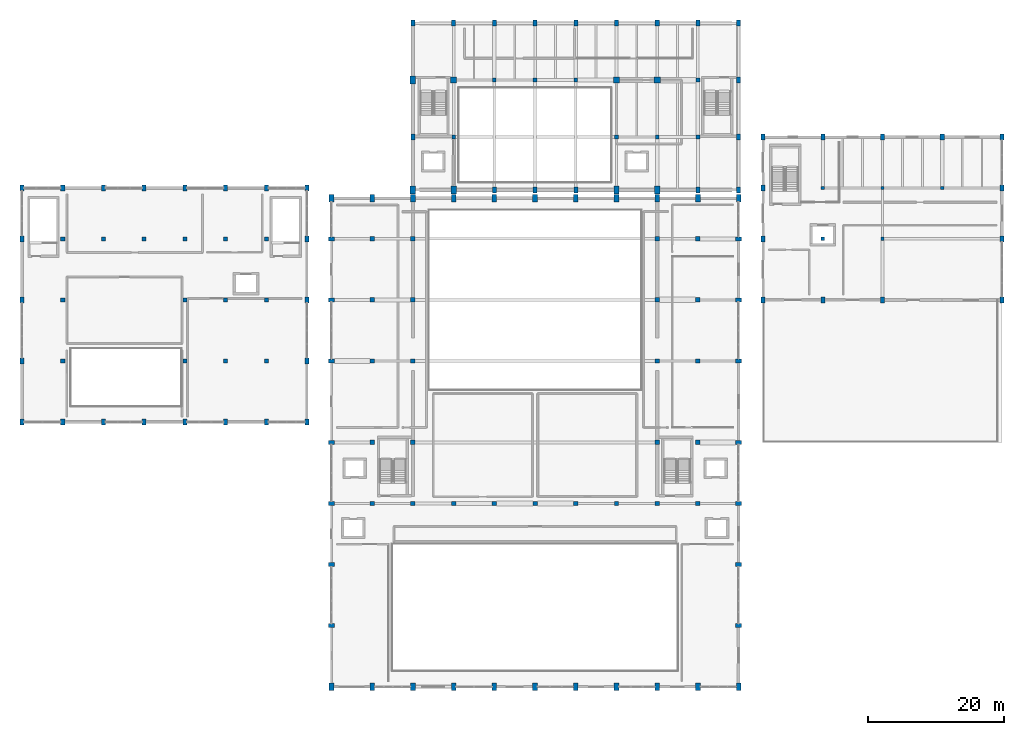
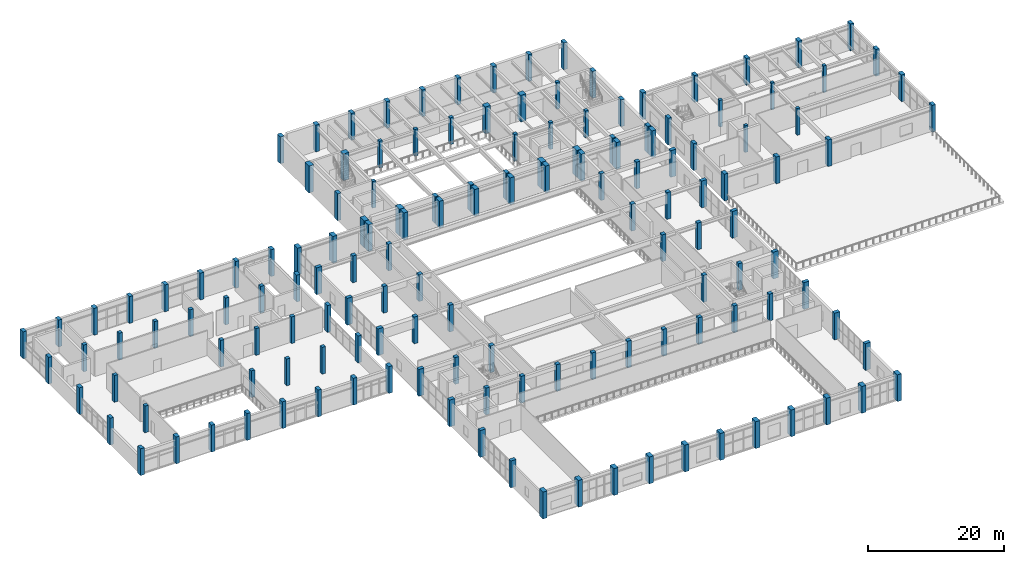
# One storey, part 1 of 62: 148 columns.
"""IFC4 building model written with IfcOpenShell, lengths in metres."""

from ifc_helpers import new_model, si_unit, direction, frame, origin, origin_2d, place, context, subcontext, project, spatial, rectangle, extrude, material, material_profile, profile_set, type_object, element, save


model = new_model("IFC4")

# Units and contexts
model_context = context("Model", 3, precision=1e-05, world=origin(), true_north=direction((0.0, 1.0)))
body_context = subcontext(model_context, "Body", "Model", "MODEL_VIEW")
ifc_project = project(units=[si_unit("LENGTHUNIT", "METRE"), si_unit("AREAUNIT", "SQUARE_METRE"), si_unit("VOLUMEUNIT", "CUBIC_METRE"), si_unit("PLANEANGLEUNIT", "RADIAN"), si_unit("MASSUNIT", "GRAM", prefix="KILO")], contexts=[model_context])

# Site, building, storey
site_placement = place(None, origin())
site = spatial("IfcSite", under=ifc_project, at=site_placement, CompositionType="ELEMENT")
building_placement = place(site_placement, origin())
building = spatial("IfcBuilding", under=site, at=building_placement, Name="Vaelkrest Opera House", CompositionType="ELEMENT")
storey_placement = place(building_placement, frame((0.0, 0.0, 19.800048828125)))
storey = spatial("IfcBuildingStorey", under=building, at=storey_placement, Name="L04", CompositionType="ELEMENT", Elevation=19.800048828125)

# Columns
ifc_material = material(Name="Concrete C50/60", Category="concrete")
ifc_material_profile_1 = material_profile(ifc_material, rectangle(XDim=0.5, YDim=0.5, at=origin_2d()), Name="RC500X500")
ifc_profile_set_1 = profile_set([ifc_material_profile_1], Name="Concrete C50/60")
column_type_1 = type_object("IfcColumnType", Name="C01", PredefinedType="COLUMN", material=ifc_profile_set_1)
for number, where, z_axis, x_axis, name in (
    (1, (42.39990234375, 10.199951171875, 0.0), (0.0, 0.0, 1.0), (1.0, 0.0, 0.0), "Column COL-V4-L04-1382"),
    (2, (42.39990234375, 17.699951171875, 0.0), (0.0, 0.0, 1.0), (1.0, 0.0, 0.0), "Column COL-V4-L04-1383"),
    (3, (51.199951171875, 10.199951171875, 0.0), (0.0, 0.0, 1.0), (1.0, 0.0, 0.0), "Column COL-V4-L04-1386"),
    (4, (51.199951171875, 17.699951171875, 0.0), (0.0, 0.0, 1.0), (1.0, 0.0, 0.0), "Column COL-V4-L04-1387"),
    (5, (60.0, 17.699951171875, 0.0), (0.0, 0.0, 1.0), (1.0, 0.0, 0.0), "Column COL-V4-L04-1389"),
):
    element("IfcColumn", number, at=place(storey_placement, frame(where, z_axis=z_axis, x_axis=x_axis)), inside=storey, type_object=column_type_1, Name=name, PredefinedType="COLUMN", context=body_context, shape_type="SweptSolid", body=[
        extrude(rectangle(XDim=0.5, YDim=0.5, at=origin_2d()), origin(), (0.0, 0.0, 1.0), 4.800048828125),
    ])
ifc_material_profile_2 = material_profile(ifc_material, rectangle(XDim=0.60009765625, YDim=0.60009765625, at=origin_2d()), Name="RC600X600")
ifc_profile_set_2 = profile_set([ifc_material_profile_2], Name="Concrete C50/60")
column_type_2 = type_object("IfcColumnType", Name="C02", PredefinedType="COLUMN", material=ifc_profile_set_2)
for number, where, z_axis, x_axis, name in (
    (6, (-69.60009765625, -7.800048828125, 0.0), (0.0, 0.0, 1.0), (1.0, 0.0, 0.0), "Column COL-V3-L04-1090"),
    (7, (-69.60009765625, 1.199951171875, 0.0), (0.0, 0.0, 1.0), (1.0, 0.0, 0.0), "Column COL-V3-L04-1091"),
    (8, (-69.60009765625, 10.199951171875, 0.0), (0.0, 0.0, 1.0), (1.0, 0.0, 0.0), "Column COL-V3-L04-1092"),
    (9, (-63.60009765625, 10.199951171875, 0.0), (0.0, 0.0, 1.0), (1.0, 0.0, 0.0), "Column COL-V3-L04-1095"),
    (10, (-57.60009765625, 10.199951171875, 0.0), (0.0, 0.0, 1.0), (1.0, 0.0, 0.0), "Column COL-V3-L04-1098"),
    (11, (-51.60009765625, -7.800048828125, 0.0), (0.0, 0.0, 1.0), (1.0, 0.0, 0.0), "Column COL-V3-L04-1101"),
    (12, (-51.60009765625, 1.199951171875, 0.0), (0.0, 0.0, 1.0), (1.0, 0.0, 0.0), "Column COL-V3-L04-1102"),
    (13, (-51.60009765625, 10.199951171875, 0.0), (0.0, 0.0, 1.0), (1.0, 0.0, 0.0), "Column COL-V3-L04-1103"),
    (14, (-45.60009765625, -7.800048828125, 0.0), (0.0, 0.0, 1.0), (1.0, 0.0, 0.0), "Column COL-V3-L04-1106"),
    (15, (-45.60009765625, 1.199951171875, 0.0), (0.0, 0.0, 1.0), (1.0, 0.0, 0.0), "Column COL-V3-L04-1107"),
    (16, (-45.60009765625, 10.199951171875, 0.0), (0.0, 0.0, 1.0), (1.0, 0.0, 0.0), "Column COL-V3-L04-1108"),
    (17, (-39.60009765625, -7.800048828125, 0.0), (0.0, 0.0, 1.0), (1.0, 0.0, 0.0), "Column COL-V3-L04-1111"),
    (18, (-39.60009765625, 1.199951171875, 0.0), (0.0, 0.0, 1.0), (1.0, 0.0, 0.0), "Column COL-V3-L04-1112"),
    (19, (-39.60009765625, 10.199951171875, 0.0), (0.0, 0.0, 1.0), (1.0, 0.0, 0.0), "Column COL-V3-L04-1113"),
):
    element("IfcColumn", number, at=place(storey_placement, frame(where, z_axis=z_axis, x_axis=x_axis)), inside=storey, type_object=column_type_2, Name=name, PredefinedType="COLUMN", context=body_context, shape_type="SweptSolid", body=[
        extrude(rectangle(XDim=0.60009765625, YDim=0.60009765625, at=origin_2d()), origin(), (0.0, 0.0, 1.0), 4.800048828125),
    ])
ifc_material_profile_3 = material_profile(ifc_material, rectangle(XDim=0.89990234375, YDim=0.89990234375, at=origin_2d()), Name="RC900X900")
ifc_profile_set_3 = profile_set([ifc_material_profile_3], Name="Concrete C50/60")
column_type_3 = type_object("IfcColumnType", Name="C05", PredefinedType="COLUMN", material=ifc_profile_set_3)
for number, where, z_axis, x_axis, name in (
    (20, (-12.0, 33.60009765625, 0.0), (0.0, 0.0, 1.0), (1.0, 0.0, 0.0), "Column COL-V2-L04-0698"),
    (21, (12.0, 33.60009765625, 0.0), (0.0, 0.0, 1.0), (1.0, 0.0, 0.0), "Column COL-V2-L04-0711"),
    (22, (18.0, 33.60009765625, 0.0), (0.0, 0.0, 1.0), (1.0, 0.0, 0.0), "Column COL-V2-L04-0715"),
):
    element("IfcColumn", number, at=place(storey_placement, frame(where, z_axis=z_axis, x_axis=x_axis)), inside=storey, type_object=column_type_3, Name=name, PredefinedType="COLUMN", context=body_context, shape_type="SweptSolid", body=[
        extrude(rectangle(XDim=0.89990234375, YDim=0.89990234375, at=origin_2d()), origin(), (0.0, 0.0, 1.0), 4.800048828125),
    ])
ifc_material_profile_4 = material_profile(ifc_material, rectangle(XDim=0.60009765625, YDim=0.89990234375, at=origin_2d()), Name="RC600X900")
ifc_profile_set_4 = profile_set([ifc_material_profile_4], Name="Concrete C50/60")
column_type_4 = type_object("IfcColumnType", Name="C06", PredefinedType="COLUMN", material=ifc_profile_set_4)
for number, where, z_axis, x_axis, name in (
    (23, (-30.0, -46.800048828125, 0.0), (0.0, 0.0, 1.0), (0.0, 1.0, 0.0), "Column COL-V1-L04-0335"),
    (24, (-30.0, -37.800048828125, 0.0), (0.0, 0.0, 1.0), (0.0, 1.0, 0.0), "Column COL-V1-L04-0336"),
    (25, (-30.0, -28.800048828125, 0.0), (0.0, 0.0, 1.0), (0.0, 1.0, 0.0), "Column COL-V1-L04-0337"),
    (26, (-30.0, -19.800048828125, 0.0), (0.0, 0.0, 1.0), (0.0, 1.0, 0.0), "Column COL-V1-L04-0338"),
    (27, (-30.0, -7.800048828125, 0.0), (0.0, 0.0, 1.0), (0.0, 1.0, 0.0), "Column COL-V1-L04-0339"),
    (28, (-30.0, 1.199951171875, 0.0), (0.0, 0.0, 1.0), (0.0, 1.0, 0.0), "Column COL-V1-L04-0340"),
    (29, (-30.0, 10.199951171875, 0.0), (0.0, 0.0, 1.0), (0.0, 1.0, 0.0), "Column COL-V1-L04-0341"),
    (30, (30.0, -46.800048828125, 0.0), (0.0, 0.0, 1.0), (0.0, 1.0, 0.0), "Column COL-V1-L04-0387"),
    (31, (30.0, -37.800048828125, 0.0), (0.0, 0.0, 1.0), (0.0, 1.0, 0.0), "Column COL-V1-L04-0388"),
    (32, (30.0, -28.800048828125, 0.0), (0.0, 0.0, 1.0), (0.0, 1.0, 0.0), "Column COL-V1-L04-0389"),
    (33, (30.0, -19.800048828125, 0.0), (0.0, 0.0, 1.0), (0.0, 1.0, 0.0), "Column COL-V1-L04-0390"),
    (34, (30.0, -7.800048828125, 0.0), (0.0, 0.0, 1.0), (0.0, 1.0, 0.0), "Column COL-V1-L04-0391"),
    (35, (30.0, 1.199951171875, 0.0), (0.0, 0.0, 1.0), (0.0, 1.0, 0.0), "Column COL-V1-L04-0392"),
    (36, (30.0, 10.199951171875, 0.0), (0.0, 0.0, 1.0), (0.0, 1.0, 0.0), "Column COL-V1-L04-0393"),
    (37, (-18.0, 25.199951171875, 0.0), (0.0, 0.0, 1.0), (1.0, 0.0, 0.0), "Column COL-V2-L04-0693"),
    (38, (-18.0, 42.0, 0.0), (0.0, 0.0, 1.0), (1.0, 0.0, 0.0), "Column COL-V2-L04-0695"),
    (39, (-12.0, 42.0, 0.0), (0.0, 0.0, 1.0), (1.0, 0.0, 0.0), "Column COL-V2-L04-0699"),
    (40, (-6.0, 17.39990234375, 0.0), (0.0, 0.0, 1.0), (1.0, 0.0, 0.0), "Column COL-V2-L04-0700"),
    (41, (-6.0, 42.0, 0.0), (0.0, 0.0, 1.0), (1.0, 0.0, 0.0), "Column COL-V2-L04-0702"),
    (42, (0.0, 17.39990234375, 0.0), (0.0, 0.0, 1.0), (1.0, 0.0, 0.0), "Column COL-V2-L04-0703"),
    (43, (0.0, 42.0, 0.0), (0.0, 0.0, 1.0), (1.0, 0.0, 0.0), "Column COL-V2-L04-0705"),
    (44, (6.0, 17.39990234375, 0.0), (0.0, 0.0, 1.0), (1.0, 0.0, 0.0), "Column COL-V2-L04-0706"),
    (45, (6.0, 42.0, 0.0), (0.0, 0.0, 1.0), (1.0, 0.0, 0.0), "Column COL-V2-L04-0708"),
    (46, (12.0, 42.0, 0.0), (0.0, 0.0, 1.0), (1.0, 0.0, 0.0), "Column COL-V2-L04-0712"),
    (47, (18.0, 42.0, 0.0), (0.0, 0.0, 1.0), (1.0, 0.0, 0.0), "Column COL-V2-L04-0716"),
    (48, (24.0, 17.39990234375, 0.0), (0.0, 0.0, 1.0), (1.0, 0.0, 0.0), "Column COL-V2-L04-0717"),
    (49, (24.0, 42.0, 0.0), (0.0, 0.0, 1.0), (1.0, 0.0, 0.0), "Column COL-V2-L04-0720"),
    (50, (30.0, 17.39990234375, 0.0), (0.0, 0.0, 1.0), (1.0, 0.0, 0.0), "Column COL-V2-L04-0721"),
    (51, (30.0, 25.199951171875, 0.0), (0.0, 0.0, 1.0), (1.0, 0.0, 0.0), "Column COL-V2-L04-0722"),
    (52, (30.0, 33.60009765625, 0.0), (0.0, 0.0, 1.0), (1.0, 0.0, 0.0), "Column COL-V2-L04-0723"),
    (53, (30.0, 42.0, 0.0), (0.0, 0.0, 1.0), (1.0, 0.0, 0.0), "Column COL-V2-L04-0724"),
    (54, (-75.60009765625, -16.800048828125, 0.0), (0.0, 0.0, 1.0), (1.0, 0.0, 0.0), "Column COL-V3-L04-1084"),
    (55, (-75.60009765625, -7.800048828125, 0.0), (0.0, 0.0, 1.0), (1.0, 0.0, 0.0), "Column COL-V3-L04-1085"),
    (56, (-75.60009765625, 1.199951171875, 0.0), (0.0, 0.0, 1.0), (1.0, 0.0, 0.0), "Column COL-V3-L04-1086"),
    (57, (-75.60009765625, 10.199951171875, 0.0), (0.0, 0.0, 1.0), (1.0, 0.0, 0.0), "Column COL-V3-L04-1087"),
    (58, (-75.60009765625, 17.699951171875, 0.0), (0.0, 0.0, 1.0), (1.0, 0.0, 0.0), "Column COL-V3-L04-1088"),
    (59, (-69.60009765625, -16.800048828125, 0.0), (0.0, 0.0, 1.0), (1.0, 0.0, 0.0), "Column COL-V3-L04-1089"),
    (60, (-69.60009765625, 17.699951171875, 0.0), (0.0, 0.0, 1.0), (1.0, 0.0, 0.0), "Column COL-V3-L04-1093"),
    (61, (-63.60009765625, -16.800048828125, 0.0), (0.0, 0.0, 1.0), (1.0, 0.0, 0.0), "Column COL-V3-L04-1094"),
    (62, (-63.60009765625, 17.699951171875, 0.0), (0.0, 0.0, 1.0), (1.0, 0.0, 0.0), "Column COL-V3-L04-1096"),
    (63, (-57.60009765625, -16.800048828125, 0.0), (0.0, 0.0, 1.0), (1.0, 0.0, 0.0), "Column COL-V3-L04-1097"),
    (64, (-57.60009765625, 17.699951171875, 0.0), (0.0, 0.0, 1.0), (1.0, 0.0, 0.0), "Column COL-V3-L04-1099"),
    (65, (-51.60009765625, -16.800048828125, 0.0), (0.0, 0.0, 1.0), (1.0, 0.0, 0.0), "Column COL-V3-L04-1100"),
    (66, (-51.60009765625, 17.699951171875, 0.0), (0.0, 0.0, 1.0), (1.0, 0.0, 0.0), "Column COL-V3-L04-1104"),
    (67, (-45.60009765625, -16.800048828125, 0.0), (0.0, 0.0, 1.0), (1.0, 0.0, 0.0), "Column COL-V3-L04-1105"),
    (68, (-45.60009765625, 17.699951171875, 0.0), (0.0, 0.0, 1.0), (1.0, 0.0, 0.0), "Column COL-V3-L04-1109"),
    (69, (-39.60009765625, -16.800048828125, 0.0), (0.0, 0.0, 1.0), (1.0, 0.0, 0.0), "Column COL-V3-L04-1110"),
    (70, (-39.60009765625, 17.699951171875, 0.0), (0.0, 0.0, 1.0), (1.0, 0.0, 0.0), "Column COL-V3-L04-1114"),
    (71, (-33.60009765625, -16.800048828125, 0.0), (0.0, 0.0, 1.0), (1.0, 0.0, 0.0), "Column COL-V3-L04-1115"),
    (72, (-33.60009765625, -7.800048828125, 0.0), (0.0, 0.0, 1.0), (1.0, 0.0, 0.0), "Column COL-V3-L04-1116"),
    (73, (-33.60009765625, 1.199951171875, 0.0), (0.0, 0.0, 1.0), (1.0, 0.0, 0.0), "Column COL-V3-L04-1117"),
    (74, (-33.60009765625, 10.199951171875, 0.0), (0.0, 0.0, 1.0), (1.0, 0.0, 0.0), "Column COL-V3-L04-1118"),
    (75, (-33.60009765625, 17.699951171875, 0.0), (0.0, 0.0, 1.0), (1.0, 0.0, 0.0), "Column COL-V3-L04-1119"),
    (76, (33.60009765625, 1.199951171875, 0.0), (0.0, 0.0, 1.0), (1.0, 0.0, 0.0), "Column COL-V4-L04-1377"),
    (77, (33.60009765625, 10.199951171875, 0.0), (0.0, 0.0, 1.0), (1.0, 0.0, 0.0), "Column COL-V4-L04-1378"),
    (78, (33.60009765625, 17.699951171875, 0.0), (0.0, 0.0, 1.0), (1.0, 0.0, 0.0), "Column COL-V4-L04-1379"),
    (79, (33.60009765625, 25.199951171875, 0.0), (0.0, 0.0, 1.0), (1.0, 0.0, 0.0), "Column COL-V4-L04-1380"),
    (80, (42.39990234375, 1.199951171875, 0.0), (0.0, 0.0, 1.0), (1.0, 0.0, 0.0), "Column COL-V4-L04-1381"),
    (81, (42.39990234375, 25.199951171875, 0.0), (0.0, 0.0, 1.0), (1.0, 0.0, 0.0), "Column COL-V4-L04-1384"),
    (82, (51.199951171875, 1.199951171875, 0.0), (0.0, 0.0, 1.0), (1.0, 0.0, 0.0), "Column COL-V4-L04-1385"),
    (83, (51.199951171875, 25.199951171875, 0.0), (0.0, 0.0, 1.0), (1.0, 0.0, 0.0), "Column COL-V4-L04-1388"),
    (84, (60.0, 25.199951171875, 0.0), (0.0, 0.0, 1.0), (1.0, 0.0, 0.0), "Column COL-V4-L04-1390"),
    (85, (68.800048828125, 1.199951171875, 0.0), (0.0, 0.0, 1.0), (1.0, 0.0, 0.0), "Column COL-V4-L04-1391"),
    (86, (68.800048828125, 10.199951171875, 0.0), (0.0, 0.0, 1.0), (1.0, 0.0, 0.0), "Column COL-V4-L04-1392"),
    (87, (68.800048828125, 17.699951171875, 0.0), (0.0, 0.0, 1.0), (1.0, 0.0, 0.0), "Column COL-V4-L04-1393"),
    (88, (68.800048828125, 25.199951171875, 0.0), (0.0, 0.0, 1.0), (1.0, 0.0, 0.0), "Column COL-V4-L04-1394"),
):
    element("IfcColumn", number, at=place(storey_placement, frame(where, z_axis=z_axis, x_axis=x_axis)), inside=storey, type_object=column_type_4, Name=name, PredefinedType="COLUMN", context=body_context, shape_type="SweptSolid", body=[
        extrude(rectangle(XDim=0.60009765625, YDim=0.89990234375, at=origin_2d()), origin(), (0.0, 0.0, 1.0), 4.800048828125),
    ])
ifc_material_profile_5 = material_profile(ifc_material, rectangle(XDim=0.699951171875, YDim=1.10009765625, at=origin_2d()), Name="RC700X1100")
ifc_profile_set_5 = profile_set([ifc_material_profile_5], Name="Concrete C50/60")
column_type_5 = type_object("IfcColumnType", Name="C07", PredefinedType="COLUMN", material=ifc_profile_set_5)
for number, where, z_axis, x_axis, name in (
    (89, (-30.0, -55.800048828125, 0.0), (0.0, 0.0, 1.0), (1.0, 0.0, 0.0), "Column COL-V1-L04-0334"),
    (90, (-30.0, 16.199951171875, 0.0), (0.0, 0.0, 1.0), (1.0, 0.0, 0.0), "Column COL-V1-L04-0342"),
    (91, (-24.0, -55.800048828125, 0.0), (0.0, 0.0, 1.0), (1.0, 0.0, 0.0), "Column COL-V1-L04-0343"),
    (92, (-24.0, 16.199951171875, 0.0), (0.0, 0.0, 1.0), (1.0, 0.0, 0.0), "Column COL-V1-L04-0349"),
    (93, (-18.0, -55.800048828125, 0.0), (0.0, 0.0, 1.0), (1.0, 0.0, 0.0), "Column COL-V1-L04-0350"),
    (94, (-18.0, 16.199951171875, 0.0), (0.0, 0.0, 1.0), (1.0, 0.0, 0.0), "Column COL-V1-L04-0356"),
    (95, (-12.0, -55.800048828125, 0.0), (0.0, 0.0, 1.0), (1.0, 0.0, 0.0), "Column COL-V1-L04-0357"),
    (96, (-12.0, 16.199951171875, 0.0), (0.0, 0.0, 1.0), (1.0, 0.0, 0.0), "Column COL-V1-L04-0359"),
    (97, (-6.0, -55.800048828125, 0.0), (0.0, 0.0, 1.0), (1.0, 0.0, 0.0), "Column COL-V1-L04-0360"),
    (98, (-6.0, 16.199951171875, 0.0), (0.0, 0.0, 1.0), (1.0, 0.0, 0.0), "Column COL-V1-L04-0362"),
    (99, (0.0, -55.800048828125, 0.0), (0.0, 0.0, 1.0), (1.0, 0.0, 0.0), "Column COL-V1-L04-0363"),
    (100, (0.0, 16.199951171875, 0.0), (0.0, 0.0, 1.0), (1.0, 0.0, 0.0), "Column COL-V1-L04-0365"),
    (101, (6.0, -55.800048828125, 0.0), (0.0, 0.0, 1.0), (1.0, 0.0, 0.0), "Column COL-V1-L04-0366"),
    (102, (6.0, 16.199951171875, 0.0), (0.0, 0.0, 1.0), (1.0, 0.0, 0.0), "Column COL-V1-L04-0368"),
    (103, (12.0, -55.800048828125, 0.0), (0.0, 0.0, 1.0), (1.0, 0.0, 0.0), "Column COL-V1-L04-0369"),
    (104, (12.0, 16.199951171875, 0.0), (0.0, 0.0, 1.0), (1.0, 0.0, 0.0), "Column COL-V1-L04-0371"),
    (105, (18.0, -55.800048828125, 0.0), (0.0, 0.0, 1.0), (1.0, 0.0, 0.0), "Column COL-V1-L04-0372"),
    (106, (18.0, 16.199951171875, 0.0), (0.0, 0.0, 1.0), (1.0, 0.0, 0.0), "Column COL-V1-L04-0378"),
    (107, (24.0, -55.800048828125, 0.0), (0.0, 0.0, 1.0), (1.0, 0.0, 0.0), "Column COL-V1-L04-0379"),
    (108, (24.0, 16.199951171875, 0.0), (0.0, 0.0, 1.0), (1.0, 0.0, 0.0), "Column COL-V1-L04-0385"),
    (109, (30.0, -55.800048828125, 0.0), (0.0, 0.0, 1.0), (1.0, 0.0, 0.0), "Column COL-V1-L04-0386"),
    (110, (30.0, 16.199951171875, 0.0), (0.0, 0.0, 1.0), (1.0, 0.0, 0.0), "Column COL-V1-L04-0394"),
):
    element("IfcColumn", number, at=place(storey_placement, frame(where, z_axis=z_axis, x_axis=x_axis)), inside=storey, type_object=column_type_5, Name=name, PredefinedType="COLUMN", context=body_context, shape_type="SweptSolid", body=[
        extrude(rectangle(XDim=0.699951171875, YDim=1.10009765625, at=origin_2d()), origin(), (0.0, 0.0, 1.0), 4.800048828125),
    ])
ifc_material_profile_6 = material_profile(ifc_material, rectangle(XDim=0.800048828125, YDim=1.199951171875, at=origin_2d()), Name="RC800X1200")
ifc_profile_set_6 = profile_set([ifc_material_profile_6], Name="Concrete C50/60")
column_type_6 = type_object("IfcColumnType", Name="C08", PredefinedType="COLUMN", material=ifc_profile_set_6)
for number, where, z_axis, x_axis, name in (
    (111, (-18.0, 17.39990234375, 0.0), (0.0, 0.0, 1.0), (1.0, 0.0, 0.0), "Column COL-V2-L04-0692"),
    (112, (-18.0, 33.60009765625, 0.0), (0.0, 0.0, 1.0), (1.0, 0.0, 0.0), "Column COL-V2-L04-0694"),
    (113, (-12.0, 17.39990234375, 0.0), (0.0, 0.0, 1.0), (1.0, 0.0, 0.0), "Column COL-V2-L04-0696"),
    (114, (12.0, 17.39990234375, 0.0), (0.0, 0.0, 1.0), (1.0, 0.0, 0.0), "Column COL-V2-L04-0709"),
    (115, (18.0, 17.39990234375, 0.0), (0.0, 0.0, 1.0), (1.0, 0.0, 0.0), "Column COL-V2-L04-0713"),
):
    element("IfcColumn", number, at=place(storey_placement, frame(where, z_axis=z_axis, x_axis=x_axis)), inside=storey, type_object=column_type_6, Name=name, PredefinedType="COLUMN", context=body_context, shape_type="SweptSolid", body=[
        extrude(rectangle(XDim=0.800048828125, YDim=1.199951171875, at=origin_2d()), origin(), (0.0, 0.0, 1.0), 4.800048828125),
    ])
ifc_material_profile_7 = material_profile(ifc_material, rectangle(XDim=0.550048828125, YDim=0.550048828125, at=origin_2d()), Name="RC550X550")
ifc_profile_set_7 = profile_set([ifc_material_profile_7], Name="Concrete C50/60")
column_type_7 = type_object("IfcColumnType", Name="C13", PredefinedType="COLUMN", material=ifc_profile_set_7)
for number, where, z_axis, x_axis, name in (
    (116, (-12.0, 25.199951171875, 0.0), (0.0, 0.0, 1.0), (1.0, 0.0, 0.0), "Column COL-V2-L04-0697"),
    (117, (-6.0, 33.60009765625, 0.0), (0.0, 0.0, 1.0), (1.0, 0.0, 0.0), "Column COL-V2-L04-0701"),
    (118, (0.0, 33.60009765625, 0.0), (0.0, 0.0, 1.0), (1.0, 0.0, 0.0), "Column COL-V2-L04-0704"),
    (119, (6.0, 33.60009765625, 0.0), (0.0, 0.0, 1.0), (1.0, 0.0, 0.0), "Column COL-V2-L04-0707"),
    (120, (12.0, 25.199951171875, 0.0), (0.0, 0.0, 1.0), (1.0, 0.0, 0.0), "Column COL-V2-L04-0710"),
    (121, (18.0, 25.199951171875, 0.0), (0.0, 0.0, 1.0), (1.0, 0.0, 0.0), "Column COL-V2-L04-0714"),
    (122, (24.0, 25.199951171875, 0.0), (0.0, 0.0, 1.0), (1.0, 0.0, 0.0), "Column COL-V2-L04-0718"),
    (123, (24.0, 33.60009765625, 0.0), (0.0, 0.0, 1.0), (1.0, 0.0, 0.0), "Column COL-V2-L04-0719"),
):
    element("IfcColumn", number, at=place(storey_placement, frame(where, z_axis=z_axis, x_axis=x_axis)), inside=storey, type_object=column_type_7, Name=name, PredefinedType="COLUMN", context=body_context, shape_type="SweptSolid", body=[
        extrude(rectangle(XDim=0.550048828125, YDim=0.550048828125, at=origin_2d()), origin(), (0.0, 0.0, 1.0), 4.800048828125),
    ])
ifc_material_profile_8 = material_profile(ifc_material, rectangle(XDim=0.64990234375, YDim=0.64990234375, at=origin_2d()), Name="RC650X650")
ifc_profile_set_8 = profile_set([ifc_material_profile_8], Name="Concrete C50/60")
column_type_8 = type_object("IfcColumnType", Name="C14", PredefinedType="COLUMN", material=ifc_profile_set_8)
for number, where, z_axis, x_axis, name in (
    (124, (-24.0, -28.800048828125, 0.0), (0.0, 0.0, 1.0), (1.0, 0.0, 0.0), "Column COL-V1-L04-0344"),
    (125, (-24.0, -19.800048828125, 0.0), (0.0, 0.0, 1.0), (1.0, 0.0, 0.0), "Column COL-V1-L04-0345"),
    (126, (-24.0, -7.800048828125, 0.0), (0.0, 0.0, 1.0), (1.0, 0.0, 0.0), "Column COL-V1-L04-0346"),
    (127, (-24.0, 1.199951171875, 0.0), (0.0, 0.0, 1.0), (1.0, 0.0, 0.0), "Column COL-V1-L04-0347"),
    (128, (-24.0, 10.199951171875, 0.0), (0.0, 0.0, 1.0), (1.0, 0.0, 0.0), "Column COL-V1-L04-0348"),
    (129, (-18.0, -28.800048828125, 0.0), (0.0, 0.0, 1.0), (1.0, 0.0, 0.0), "Column COL-V1-L04-0351"),
    (130, (-18.0, -19.800048828125, 0.0), (0.0, 0.0, 1.0), (1.0, 0.0, 0.0), "Column COL-V1-L04-0352"),
    (131, (-18.0, -7.800048828125, 0.0), (0.0, 0.0, 1.0), (1.0, 0.0, 0.0), "Column COL-V1-L04-0353"),
    (132, (-18.0, 1.199951171875, 0.0), (0.0, 0.0, 1.0), (1.0, 0.0, 0.0), "Column COL-V1-L04-0354"),
    (133, (-18.0, 10.199951171875, 0.0), (0.0, 0.0, 1.0), (1.0, 0.0, 0.0), "Column COL-V1-L04-0355"),
    (134, (-12.0, -28.800048828125, 0.0), (0.0, 0.0, 1.0), (1.0, 0.0, 0.0), "Column COL-V1-L04-0358"),
    (135, (-6.0, -28.800048828125, 0.0), (0.0, 0.0, 1.0), (1.0, 0.0, 0.0), "Column COL-V1-L04-0361"),
    (136, (0.0, -28.800048828125, 0.0), (0.0, 0.0, 1.0), (1.0, 0.0, 0.0), "Column COL-V1-L04-0364"),
    (137, (6.0, -28.800048828125, 0.0), (0.0, 0.0, 1.0), (1.0, 0.0, 0.0), "Column COL-V1-L04-0367"),
    (138, (12.0, -28.800048828125, 0.0), (0.0, 0.0, 1.0), (1.0, 0.0, 0.0), "Column COL-V1-L04-0370"),
    (139, (18.0, -28.800048828125, 0.0), (0.0, 0.0, 1.0), (1.0, 0.0, 0.0), "Column COL-V1-L04-0373"),
    (140, (18.0, -19.800048828125, 0.0), (0.0, 0.0, 1.0), (1.0, 0.0, 0.0), "Column COL-V1-L04-0374"),
    (141, (18.0, -7.800048828125, 0.0), (0.0, 0.0, 1.0), (1.0, 0.0, 0.0), "Column COL-V1-L04-0375"),
    (142, (18.0, 1.199951171875, 0.0), (0.0, 0.0, 1.0), (1.0, 0.0, 0.0), "Column COL-V1-L04-0376"),
    (143, (18.0, 10.199951171875, 0.0), (0.0, 0.0, 1.0), (1.0, 0.0, 0.0), "Column COL-V1-L04-0377"),
    (144, (24.0, -28.800048828125, 0.0), (0.0, 0.0, 1.0), (1.0, 0.0, 0.0), "Column COL-V1-L04-0380"),
    (145, (24.0, -19.800048828125, 0.0), (0.0, 0.0, 1.0), (1.0, 0.0, 0.0), "Column COL-V1-L04-0381"),
    (146, (24.0, -7.800048828125, 0.0), (0.0, 0.0, 1.0), (1.0, 0.0, 0.0), "Column COL-V1-L04-0382"),
    (147, (24.0, 1.199951171875, 0.0), (0.0, 0.0, 1.0), (1.0, 0.0, 0.0), "Column COL-V1-L04-0383"),
    (148, (24.0, 10.199951171875, 0.0), (0.0, 0.0, 1.0), (1.0, 0.0, 0.0), "Column COL-V1-L04-0384"),
):
    element("IfcColumn", number, at=place(storey_placement, frame(where, z_axis=z_axis, x_axis=x_axis)), inside=storey, type_object=column_type_8, Name=name, PredefinedType="COLUMN", context=body_context, shape_type="SweptSolid", body=[
        extrude(rectangle(XDim=0.64990234375, YDim=0.64990234375, at=origin_2d()), origin(), (0.0, 0.0, 1.0), 4.800048828125),
    ])

save(model, "model.ifc")
